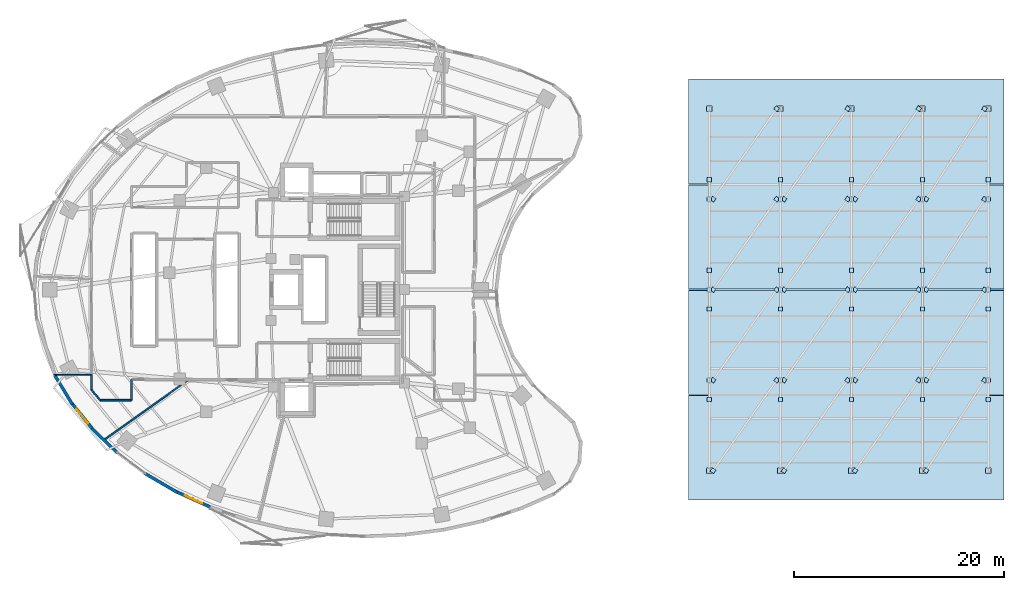
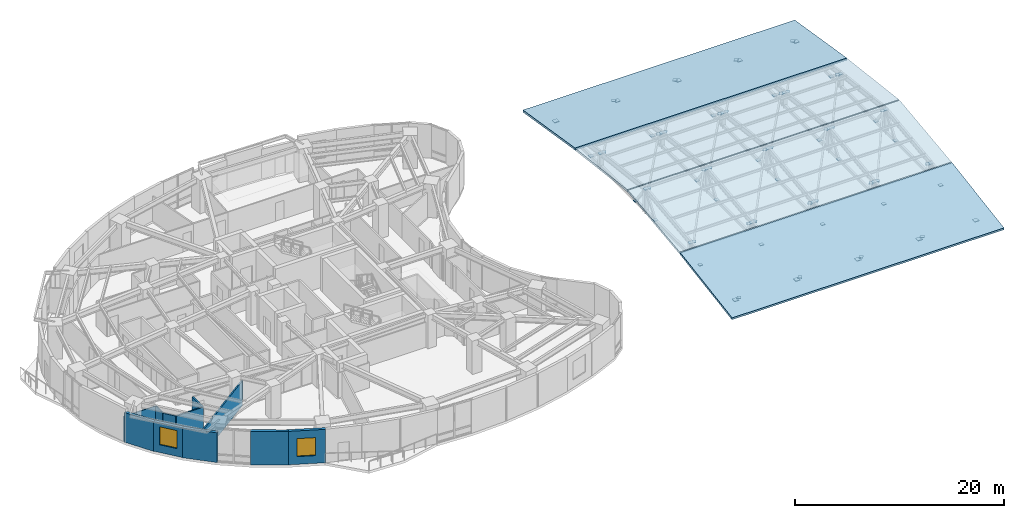
# One storey, part 10 of 17: 77 plates, 11 walls, 4 slabs, 2 windows, 2 openings.
"""IFC4 building model written with IfcOpenShell, lengths in metres."""

from ifc_helpers import new_model, si_unit, direction, frame, frame_2d, origin, origin_2d, place, context, subcontext, project, spatial, polyline, rectangle, outline, extrude, material, layer, layer_set, type_object, element, fill, save


model = new_model("IFC4")

# Units and contexts
model_context = context("Model", 3, precision=1e-05, world=origin(), true_north=direction((0.0, 1.0)))
body_context = subcontext(model_context, "Body", "Model", "MODEL_VIEW")
ifc_project = project(units=[si_unit("LENGTHUNIT", "METRE"), si_unit("AREAUNIT", "SQUARE_METRE"), si_unit("VOLUMEUNIT", "CUBIC_METRE"), si_unit("PLANEANGLEUNIT", "RADIAN"), si_unit("MASSUNIT", "GRAM", prefix="KILO")], contexts=[model_context])

# Site, building, storey
site_placement = place(None, origin())
site = spatial("IfcSite", under=ifc_project, at=site_placement, CompositionType="ELEMENT")
building_placement = place(site_placement, origin())
building = spatial("IfcBuilding", under=site, at=building_placement, Name="Korentha Bioscience Tower", CompositionType="ELEMENT")
storey_placement = place(building_placement, frame((0.0, 0.0, 25.800048828125)))
storey = spatial("IfcBuildingStorey", under=building, at=storey_placement, Name="L05", CompositionType="ELEMENT", Elevation=25.800048828125)

# Plates
ifc_material_1 = material(Name="Steel S355", Category="steel")
ifc_layer_1 = layer(ifc_material_1, 0.080078125, Name="Steel S355")
ifc_layer_set_1 = layer_set([ifc_layer_1], Name="Steel S355 (CP-02)")
plate_type_1 = type_object("IfcPlateType", Name="Hollow Section End Cap Plate 400x400x80", PredefinedType="USERDEFINED", material=ifc_layer_set_1)
for number, where, z_axis, x_axis, name in (
    (1, (66.5, 16.550048828125, 0.179931640625), (0.0, 0.0, 1.0), (0.0, 1.0, 0.0), "Vault Web 01-1 End Cap 1"),
    (2, (66.5, 18.39990234375, 1.635498046875), (0.0, 0.0, 1.0), (0.0, 1.0, 0.0), "Vault Web 01-1 End Cap 2"),
    (3, (66.5, 25.14990234375, 0.179931640625), (0.0, 0.0, 1.0), (0.0, 1.0, 0.0), "Vault Web 01-2 End Cap 1"),
    (4, (66.5, 27.0, 2.685302734375), (0.0, 0.0, 1.0), (0.0, 1.0, 0.0), "Vault Web 01-2 End Cap 2"),
    (5, (66.5, 28.85009765625, 0.179931640625), (0.0, 0.0, 1.0), (0.0, 1.0, 0.0), "Vault Web 01-3 End Cap 1"),
    (6, (66.5, 37.449951171875, 0.179931640625), (0.0, 0.0, 1.0), (0.0, 1.0, 0.0), "Vault Web 01-4 End Cap 1"),
    (7, (66.5, 35.60009765625, 1.635498046875), (0.0, 0.0, 1.0), (0.0, 1.0, 0.0), "Vault Web 01-4 End Cap 2"),
    (8, (73.25, 16.550048828125, 0.179931640625), (0.0, 0.0, 1.0), (0.0, 1.0, 0.0), "Vault Web 02-1 End Cap 1"),
    (9, (73.25, 18.39990234375, 1.635498046875), (0.0, 0.0, 1.0), (0.0, 1.0, 0.0), "Vault Web 02-1 End Cap 2"),
    (10, (73.25, 25.14990234375, 0.179931640625), (0.0, 0.0, 1.0), (0.0, 1.0, 0.0), "Vault Web 02-2 End Cap 1"),
    (11, (73.25, 27.0, 2.685302734375), (0.0, 0.0, 1.0), (0.0, 1.0, 0.0), "Vault Web 02-2 End Cap 2"),
    (12, (73.25, 28.85009765625, 0.179931640625), (0.0, 0.0, 1.0), (0.0, 1.0, 0.0), "Vault Web 02-3 End Cap 1"),
    (13, (73.25, 37.449951171875, 0.179931640625), (0.0, 0.0, 1.0), (0.0, 1.0, 0.0), "Vault Web 02-4 End Cap 1"),
    (14, (73.25, 35.60009765625, 1.635498046875), (0.0, 0.0, 1.0), (0.0, 1.0, 0.0), "Vault Web 02-4 End Cap 2"),
    (15, (80.0, 16.550048828125, 0.179931640625), (0.0, 0.0, 1.0), (0.0, 1.0, 0.0), "Vault Web 03-1 End Cap 1"),
    (16, (80.0, 18.39990234375, 1.635498046875), (0.0, 0.0, 1.0), (0.0, 1.0, 0.0), "Vault Web 03-1 End Cap 2"),
    (17, (80.0, 25.14990234375, 0.179931640625), (0.0, 0.0, 1.0), (0.0, 1.0, 0.0), "Vault Web 03-2 End Cap 1"),
    (18, (80.0, 27.0, 2.685302734375), (0.0, 0.0, 1.0), (0.0, 1.0, 0.0), "Vault Web 03-2 End Cap 2"),
    (19, (80.0, 28.85009765625, 0.179931640625), (0.0, 0.0, 1.0), (0.0, 1.0, 0.0), "Vault Web 03-3 End Cap 1"),
    (20, (80.0, 37.449951171875, 0.179931640625), (0.0, 0.0, 1.0), (0.0, 1.0, 0.0), "Vault Web 03-4 End Cap 1"),
    (21, (80.0, 35.60009765625, 1.635498046875), (0.0, 0.0, 1.0), (0.0, 1.0, 0.0), "Vault Web 03-4 End Cap 2"),
    (22, (86.75, 16.550048828125, 0.179931640625), (0.0, 0.0, 1.0), (0.0, 1.0, 0.0), "Vault Web 04-1 End Cap 1"),
    (23, (86.75, 18.39990234375, 1.635498046875), (0.0, 0.0, 1.0), (0.0, 1.0, 0.0), "Vault Web 04-1 End Cap 2"),
    (24, (86.75, 25.14990234375, 0.179931640625), (0.0, 0.0, 1.0), (0.0, 1.0, 0.0), "Vault Web 04-2 End Cap 1"),
    (25, (86.75, 27.0, 2.685302734375), (0.0, 0.0, 1.0), (0.0, 1.0, 0.0), "Vault Web 04-2 End Cap 2"),
    (26, (86.75, 28.85009765625, 0.179931640625), (0.0, 0.0, 1.0), (0.0, 1.0, 0.0), "Vault Web 04-3 End Cap 1"),
    (27, (86.75, 37.449951171875, 0.179931640625), (0.0, 0.0, 1.0), (0.0, 1.0, 0.0), "Vault Web 04-4 End Cap 1"),
    (28, (86.75, 35.60009765625, 1.635498046875), (0.0, 0.0, 1.0), (0.0, 1.0, 0.0), "Vault Web 04-4 End Cap 2"),
    (29, (93.0, 16.550048828125, 0.179931640625), (0.0, 0.0, 1.0), (0.0, 1.0, 0.0), "Vault Web 05-1 End Cap 1"),
    (30, (93.0, 18.39990234375, 1.635498046875), (0.0, 0.0, 1.0), (0.0, 1.0, 0.0), "Vault Web 05-1 End Cap 2"),
    (31, (93.0, 25.14990234375, 0.179931640625), (0.0, 0.0, 1.0), (0.0, 1.0, 0.0), "Vault Web 05-2 End Cap 1"),
    (32, (93.0, 27.0, 2.685302734375), (0.0, 0.0, 1.0), (0.0, 1.0, 0.0), "Vault Web 05-2 End Cap 2"),
    (33, (93.0, 28.85009765625, 0.179931640625), (0.0, 0.0, 1.0), (0.0, 1.0, 0.0), "Vault Web 05-3 End Cap 1"),
    (34, (93.0, 37.449951171875, 0.179931640625), (0.0, 0.0, 1.0), (0.0, 1.0, 0.0), "Vault Web 05-4 End Cap 1"),
    (35, (93.0, 35.60009765625, 1.635498046875), (0.0, 0.0, 1.0), (0.0, 1.0, 0.0), "Vault Web 05-4 End Cap 2"),
    (36, (66.85009765625, 9.800048828125, 0.331298828125), (0.0, 0.0, 1.0), (0.575433555394, 0.817848533243, 0.0), "Vault Wind Brace 1-1 End Cap 1"),
    (37, (72.89990234375, 18.39990234375, 1.63134765625), (0.0, 0.0, 1.0), (0.575433555394, 0.817848533243, 0.0), "Vault Wind Brace 1-1 End Cap 2"),
    (38, (66.85009765625, 18.39990234375, 1.63134765625), (0.0, 0.0, 1.0), (0.575433555394, 0.817848533243, 0.0), "Vault Wind Brace 1-2 End Cap 1"),
    (39, (72.89990234375, 27.0, 2.681396484375), (0.0, 0.0, 1.0), (0.575433555394, 0.817848533243, 0.0), "Vault Wind Brace 1-2 End Cap 2"),
    (40, (66.85009765625, 27.0, 2.681396484375), (0.0, 0.0, 1.0), (0.575433555394, 0.817848533243, 0.0), "Vault Wind Brace 1-3 End Cap 1"),
    (41, (72.89990234375, 35.60009765625, 1.63134765625), (0.0, 0.0, 1.0), (0.575433555394, 0.817848533243, 0.0), "Vault Wind Brace 1-3 End Cap 2"),
    (42, (66.85009765625, 35.60009765625, 1.63134765625), (0.0, 0.0, 1.0), (0.575433555394, 0.817848533243, 0.0), "Vault Wind Brace 1-4 End Cap 1"),
    (43, (72.89990234375, 44.199951171875, 0.331298828125), (0.0, 0.0, 1.0), (0.575433555394, 0.817848533243, 0.0), "Vault Wind Brace 1-4 End Cap 2"),
    (44, (73.60009765625, 9.800048828125, 0.331298828125), (0.0, 0.0, 1.0), (0.575433555394, 0.817848533243, 0.0), "Vault Wind Brace 2-1 End Cap 1"),
    (45, (79.64990234375, 18.39990234375, 1.63134765625), (0.0, 0.0, 1.0), (0.575433555394, 0.817848533243, 0.0), "Vault Wind Brace 2-1 End Cap 2"),
    (46, (73.60009765625, 18.39990234375, 1.63134765625), (0.0, 0.0, 1.0), (0.575433555394, 0.817848533243, 0.0), "Vault Wind Brace 2-2 End Cap 1"),
    (47, (79.64990234375, 27.0, 2.681396484375), (0.0, 0.0, 1.0), (0.575433555394, 0.817848533243, 0.0), "Vault Wind Brace 2-2 End Cap 2"),
    (48, (73.60009765625, 27.0, 2.681396484375), (0.0, 0.0, 1.0), (0.575433555394, 0.817848533243, 0.0), "Vault Wind Brace 2-3 End Cap 1"),
    (49, (79.64990234375, 35.60009765625, 1.63134765625), (0.0, 0.0, 1.0), (0.575433555394, 0.817848533243, 0.0), "Vault Wind Brace 2-3 End Cap 2"),
    (50, (73.60009765625, 35.60009765625, 1.63134765625), (0.0, 0.0, 1.0), (0.575433555394, 0.817848533243, 0.0), "Vault Wind Brace 2-4 End Cap 1"),
    (51, (79.64990234375, 44.199951171875, 0.331298828125), (0.0, 0.0, 1.0), (0.575433555394, 0.817848533243, 0.0), "Vault Wind Brace 2-4 End Cap 2"),
    (52, (80.35009765625, 9.800048828125, 0.331298828125), (0.0, 0.0, 1.0), (0.575433555394, 0.817848533243, 0.0), "Vault Wind Brace 3-1 End Cap 1"),
    (53, (86.39990234375, 18.39990234375, 1.63134765625), (0.0, 0.0, 1.0), (0.575433555394, 0.817848533243, 0.0), "Vault Wind Brace 3-1 End Cap 2"),
    (54, (80.35009765625, 18.39990234375, 1.63134765625), (0.0, 0.0, 1.0), (0.575433555394, 0.817848533243, 0.0), "Vault Wind Brace 3-2 End Cap 1"),
    (55, (86.39990234375, 27.0, 2.681396484375), (0.0, 0.0, 1.0), (0.575433555394, 0.817848533243, 0.0), "Vault Wind Brace 3-2 End Cap 2"),
    (56, (80.35009765625, 27.0, 2.681396484375), (0.0, 0.0, 1.0), (0.575433555394, 0.817848533243, 0.0), "Vault Wind Brace 3-3 End Cap 1"),
    (57, (86.39990234375, 35.60009765625, 1.63134765625), (0.0, 0.0, 1.0), (0.575433555394, 0.817848533243, 0.0), "Vault Wind Brace 3-3 End Cap 2"),
    (58, (80.35009765625, 35.60009765625, 1.63134765625), (0.0, 0.0, 1.0), (0.575433555394, 0.817848533243, 0.0), "Vault Wind Brace 3-4 End Cap 1"),
    (59, (86.39990234375, 44.199951171875, 0.331298828125), (0.0, 0.0, 1.0), (0.575433555394, 0.817848533243, 0.0), "Vault Wind Brace 3-4 End Cap 2"),
    (60, (87.10009765625, 9.800048828125, 0.331298828125), (0.0, 0.0, 1.0), (0.542294904417, 0.840188215011, 0.0), "Vault Wind Brace 4-1 End Cap 1"),
    (61, (92.64990234375, 18.39990234375, 1.63134765625), (0.0, 0.0, 1.0), (0.542294904417, 0.840188215011, 0.0), "Vault Wind Brace 4-1 End Cap 2"),
    (62, (87.10009765625, 18.39990234375, 1.63134765625), (0.0, 0.0, 1.0), (0.542294904417, 0.840188215011, 0.0), "Vault Wind Brace 4-2 End Cap 1"),
    (63, (92.64990234375, 27.0, 2.681396484375), (0.0, 0.0, 1.0), (0.542294904417, 0.840188215011, 0.0), "Vault Wind Brace 4-2 End Cap 2"),
    (64, (87.10009765625, 27.0, 2.681396484375), (0.0, 0.0, 1.0), (0.542294904417, 0.840188215011, 0.0), "Vault Wind Brace 4-3 End Cap 1"),
    (65, (92.64990234375, 35.60009765625, 1.63134765625), (0.0, 0.0, 1.0), (0.542294904417, 0.840188215011, 0.0), "Vault Wind Brace 4-3 End Cap 2"),
    (66, (87.10009765625, 35.60009765625, 1.63134765625), (0.0, 0.0, 1.0), (0.542294904417, 0.840188215011, 0.0), "Vault Wind Brace 4-4 End Cap 1"),
    (67, (92.64990234375, 44.199951171875, 0.331298828125), (0.0, 0.0, 1.0), (0.542294904417, 0.840188215011, 0.0), "Vault Wind Brace 4-4 End Cap 2"),
):
    element("IfcPlate", number, at=place(storey_placement, frame(where, z_axis=z_axis, x_axis=x_axis)), inside=storey, type_object=plate_type_1, Name=name, ObjectType="CAP_PLATE", PredefinedType="USERDEFINED", context=body_context, shape_type="SweptSolid", body=[
        extrude(rectangle(XDim=0.39990234375, YDim=0.39990234375, at=origin_2d()), origin(), (0.0, 0.0, 1.0), 0.080078125),
    ])
ifc_layer_2 = layer(ifc_material_1, 0.080078125, Name="Steel S355")
ifc_layer_set_2 = layer_set([ifc_layer_2], Name="Steel S355 (CP-01)")
plate_type_2 = type_object("IfcPlateType", Name="Hollow Section End Cap Plate 520x520x80", PredefinedType="USERDEFINED", material=ifc_layer_set_2)
for number, where, z_axis, x_axis, name in (
    (68, (66.5, 9.800048828125, 0.179931640625), (0.0, 0.0, 1.0), (0.0, 1.0, 0.0), "Vault Tie 01 End Cap 1"),
    (69, (66.5, 44.199951171875, 0.179931640625), (0.0, 0.0, 1.0), (0.0, 1.0, 0.0), "Vault Tie 01 End Cap 2"),
    (70, (73.25, 9.800048828125, 0.179931640625), (0.0, 0.0, 1.0), (0.0, 1.0, 0.0), "Vault Tie 02 End Cap 1"),
    (71, (73.25, 44.199951171875, 0.179931640625), (0.0, 0.0, 1.0), (0.0, 1.0, 0.0), "Vault Tie 02 End Cap 2"),
    (72, (80.0, 9.800048828125, 0.179931640625), (0.0, 0.0, 1.0), (0.0, 1.0, 0.0), "Vault Tie 03 End Cap 1"),
    (73, (80.0, 44.199951171875, 0.179931640625), (0.0, 0.0, 1.0), (0.0, 1.0, 0.0), "Vault Tie 03 End Cap 2"),
    (74, (86.75, 9.800048828125, 0.179931640625), (0.0, 0.0, 1.0), (0.0, 1.0, 0.0), "Vault Tie 04 End Cap 1"),
    (75, (86.75, 44.199951171875, 0.179931640625), (0.0, 0.0, 1.0), (0.0, 1.0, 0.0), "Vault Tie 04 End Cap 2"),
    (76, (93.0, 9.800048828125, 0.179931640625), (0.0, 0.0, 1.0), (0.0, 1.0, 0.0), "Vault Tie 05 End Cap 1"),
    (77, (93.0, 44.199951171875, 0.179931640625), (0.0, 0.0, 1.0), (0.0, 1.0, 0.0), "Vault Tie 05 End Cap 2"),
):
    element("IfcPlate", number, at=place(storey_placement, frame(where, z_axis=z_axis, x_axis=x_axis)), inside=storey, type_object=plate_type_2, Name=name, ObjectType="CAP_PLATE", PredefinedType="USERDEFINED", context=body_context, shape_type="SweptSolid", body=[
        extrude(rectangle(XDim=0.52001953125, YDim=0.52001953125, at=origin_2d()), origin(), (0.0, 0.0, 1.0), 0.080078125),
    ])

# Slabs
ifc_material_2 = material(Name="Precast Concrete C50", Category="concrete")
ifc_layer_3 = layer(ifc_material_2, 0.25, Name="Precast Concrete C50")
ifc_layer_set_3 = layer_set([ifc_layer_3], Name="Precast Concrete C50 (RF-V250)")
slab_type = type_object("IfcSlabType", Name="Theatre Faceted Vault Roof Slab 250", PredefinedType="ROOF", material=ifc_layer_set_3)
slab_1_placement = place(storey_placement, frame((64.5, 7.0, 0.5), z_axis=(0.0, -0.158751050698, 0.98731864355), x_axis=(1.0, 0.0, 0.0)))
element("IfcSlab", 78, at=slab_1_placement, inside=storey, type_object=slab_type, Name="L05 Civic Theatre Faceted Vault Roof Panel 1", PredefinedType="ROOF", context=body_context, shape_type="SweptSolid", body=[
    extrude(outline(polyline([(0.0, 0.0), (30.0, 0.0), (30.0, 10.07763671875), (0.0, 10.07763671875), (0.0, 0.0)])), origin(), (0.0, 0.0, -1.0), 0.25),
])
for number, where, z_axis, x_axis, name in (
    (79, (64.5, 17.050048828125, 2.099853515625), (0.0, -0.120471882616, 0.99271673981), (1.0, 0.0, 0.0), "L05 Civic Theatre Faceted Vault Roof Panel 2"),
    (80, (64.5, 27.06005859375, 3.300048828125), (0.0, 0.120471882616, 0.99271673981), (1.0, 0.0, 0.0), "L05 Civic Theatre Faceted Vault Roof Panel 3"),
):
    element("IfcSlab", number, at=place(storey_placement, frame(where, z_axis=z_axis, x_axis=x_axis)), inside=storey, type_object=slab_type, Name=name, PredefinedType="ROOF", context=body_context, shape_type="SweptSolid", body=[
        extrude(outline(polyline([(0.0, 0.0), (30.0, 0.0), (30.0, 9.96240234375), (0.0, 9.96240234375), (0.0, 0.0)])), origin(), (0.0, 0.0, -1.0), 0.25),
    ])
slab_2_placement = place(storey_placement, frame((64.5, 37.050048828125, 2.099853515625), z_axis=(0.0, 0.158751050698, 0.98731864355), x_axis=(1.0, 0.0, 0.0)))
element("IfcSlab", 81, at=slab_2_placement, inside=storey, type_object=slab_type, Name="L05 Civic Theatre Faceted Vault Roof Panel 4", PredefinedType="ROOF", context=body_context, shape_type="SweptSolid", body=[
    extrude(outline(polyline([(0.0, 0.0), (30.0, 0.0), (30.0, 10.07763671875), (0.0, 10.07763671875), (0.0, 0.0)])), origin(), (0.0, 0.0, -1.0), 0.25),
])

# Walls
ifc_material_3 = material(Name="Double-Stud Acoustic Gypsum", Category="gypsum")
ifc_layer_4 = layer(ifc_material_3, 0.14990234375, Name="Double-Stud Acoustic Gypsum")
ifc_layer_set_4 = layer_set([ifc_layer_4], Name="Double-Stud Acoustic Gypsum (IW-L150)")
wall_type_1 = type_object("IfcWallType", Name="Acoustic Laboratory Partition Wall 150", PredefinedType="PARTITIONING", material=ifc_layer_set_4)
wall_1_placement = place(storey_placement, frame((7.7900390625, 18.89208984375, 0.0), z_axis=(0.0, 0.0, 1.0), x_axis=(0.0, -1.0, 0.0)))
element("IfcWall", 82, at=wall_1_placement, inside=storey, type_object=wall_type_1, Name="L05 Interior Partition 023", PredefinedType="PARTITIONING", context=body_context, shape_type="SweptSolid", body=[
    extrude(rectangle(XDim=1.393310546875, YDim=0.14990234375, at=frame_2d((0.69677734375, 0.0))), origin(), (0.0, 0.0, 1.0), 2.909912109375),
])
wall_2_placement = place(storey_placement, frame((7.792236328125, 17.492431640625, 0.0), z_axis=(0.0, 0.0, 1.0), x_axis=(0.629225554682, -0.777222748854, 0.0)))
element("IfcWall", 83, at=wall_2_placement, inside=storey, type_object=wall_type_1, Name="L05 Interior Partition 024", PredefinedType="PARTITIONING", context=body_context, shape_type="SweptSolid", body=[
    extrude(rectangle(XDim=1.28515625, YDim=0.14990234375, at=frame_2d((0.642578125, 0.0))), origin(), (0.0, 0.0, 1.0), 2.909912109375),
])
wall_3_placement = place(storey_placement, frame((8.608642578125, 16.489990234375, 0.0), z_axis=(0.0, 0.0, 1.0), x_axis=(1.0, 0.0, 0.0)))
element("IfcWall", 84, at=wall_3_placement, inside=storey, type_object=wall_type_1, Name="L05 Interior Partition 025", PredefinedType="PARTITIONING", context=body_context, shape_type="SweptSolid", body=[
    extrude(rectangle(XDim=2.971435546875, YDim=0.14990234375, at=frame_2d((1.48583984375, 0.0))), origin(), (0.0, 0.0, 1.0), 2.909912109375),
])
wall_4_placement = place(storey_placement, frame((11.590087890625, 16.5, 0.0), z_axis=(0.0, 0.0, 1.0), x_axis=(0.0, 1.0, 0.0)))
element("IfcWall", 85, at=wall_4_placement, inside=storey, type_object=wall_type_1, Name="L05 Interior Partition 026", PredefinedType="PARTITIONING", context=body_context, shape_type="SweptSolid", body=[
    extrude(rectangle(XDim=1.93994140625, YDim=0.14990234375, at=frame_2d((0.969970703125, 0.0))), origin(), (0.0, 0.0, 1.0), 2.909912109375),
])
wall_5_placement = place(storey_placement, frame((17.001220703125, 18.43994140625, 0.0), z_axis=(0.0, 0.0, 1.0), x_axis=(-0.813397935838, -0.581707656796, 0.0)))
element("IfcWall", 86, at=wall_5_placement, inside=storey, type_object=wall_type_1, Name="L05 Interior Partition 027", PredefinedType="PARTITIONING", context=body_context, shape_type="SweptSolid", body=[
    extrude(rectangle(XDim=9.984130859375, YDim=0.14990234375, at=frame_2d((4.9921875, 0.0))), origin(), (0.0, 0.0, 1.0), 2.909912109375),
])
ifc_material_4 = material(Name="Fire-Rated Framed Glass", Category="glass")
ifc_layer_5 = layer(ifc_material_4, 0.110107421875, Name="Fire-Rated Framed Glass")
ifc_layer_set_5 = layer_set([ifc_layer_5], Name="Fire-Rated Framed Glass (IW-G110)")
wall_type_2 = type_object("IfcWallType", Name="Demountable Glazed Office Partition 110", PredefinedType="MOVABLE", material=ifc_layer_set_5)
wall_6_placement = place(storey_placement, frame((7.7900390625, 18.902099609375, 0.0), z_axis=(0.0, 0.0, 1.0), x_axis=(-1.0, 0.0, 0.0)))
element("IfcWall", 87, at=wall_6_placement, inside=storey, type_object=wall_type_2, Name="L05 Interior Partition 022", PredefinedType="MOVABLE", context=body_context, shape_type="SweptSolid", body=[
    extrude(rectangle(XDim=3.595947265625, YDim=0.110107421875, at=frame_2d((1.7978515625, 0.0))), origin(), (0.0, 0.0, 1.0), 2.909912109375),
])

# Wall, opening, window
ifc_material_5 = material(Name="Honed Limestone Precast Concrete C40", Category="masonry")
ifc_layer_6 = layer(ifc_material_5, 0.300048828125, Name="Honed Limestone Precast Concrete C40")
ifc_layer_set_6 = layer_set([ifc_layer_6], Name="Honed Limestone Precast Concrete C40 (EW-ST300)")
wall_type_3 = type_object("IfcWallType", Name="Honed Limestone Cavity Spandrel Wall 300", PredefinedType="STANDARD", material=ifc_layer_set_6)
wall_7_placement = place(storey_placement, frame((5.893798828125, 16.229736328125, 0.0), z_axis=(0.0, 0.0, 1.0), x_axis=(0.629295540187, -0.777166084631, 0.0)))
wall_7 = element("IfcWall", 88, at=wall_7_placement, inside=storey, type_object=wall_type_3, Name="L05 Honed Limestone Spandrel Wall 23", PredefinedType="STANDARD", context=body_context, shape_type="SweptSolid", body=[
    extrude(rectangle(XDim=3.24755859375, YDim=0.300048828125, at=frame_2d((1.623779296875, 0.0))), origin(), (0.0, 0.0, 1.0), 3.469970703125),
])
opening_1_placement = place(wall_7_placement, frame((0.723876953125, 0.0, 0.89990234375)))
opening_1 = element("IfcOpeningElement", 89, at=opening_1_placement, cuts=wall_7, Name="Opening WN-01", PredefinedType="OPENING", context=body_context, shape_type="SweptSolid", body=[
    extrude(rectangle(XDim=1.800048828125, YDim=2.10009765625, at=frame_2d((0.89990234375, 1.050048828125))), frame((0.0, 0.1650390625, 0.0), z_axis=(0.0, -1.0, 0.0), x_axis=(1.0, 0.0, 0.0)), (0.0, 0.0, 1.0), 0.329833984375),
])
ifc_material_6 = material(Name="Thermally Broken Aluminium Triple Glazing", Category="aluminium")
window_type = type_object("IfcWindowType", Name="Triple-Glazed Fixed Bioscience Window 1800x2100", PartitioningType="SINGLE_PANEL", PredefinedType="WINDOW", material=ifc_material_6)
window_1_placement = place(opening_1_placement, origin())
window_1 = element("IfcWindow", 90, at=window_1_placement, inside=storey, type_object=window_type, Name="L05 Facade Window 23", OverallHeight=2.10009765625, OverallWidth=1.800048828125, PartitioningType="SINGLE_PANEL", PredefinedType="WINDOW", context=body_context, shape_type="SweptSolid", body=[
    extrude(rectangle(XDim=1.800048828125, YDim=2.10009765625, at=frame_2d((0.89990234375, 1.050048828125))), frame((0.0, 0.030029296875, 0.0), z_axis=(0.0, -1.0, 0.0), x_axis=(1.0, 0.0, 0.0)), (0.0, 0.0, 1.0), 0.06005859375),
])
fill(opening_1, window_1)

wall_8_placement = place(storey_placement, frame((15.822265625, 7.812255859375, 0.0), z_axis=(0.0, 0.0, 1.0), x_axis=(0.910608120407, -0.413270917254, 0.0)))
wall_8 = element("IfcWall", 91, at=wall_8_placement, inside=storey, type_object=wall_type_3, Name="L05 Honed Limestone Spandrel Wall 27", PredefinedType="STANDARD", context=body_context, shape_type="SweptSolid", body=[
    extrude(rectangle(XDim=3.699951171875, YDim=0.300048828125, at=frame_2d((1.85009765625, 0.0))), origin(), (0.0, 0.0, 1.0), 3.89990234375),
])
opening_2_placement = place(wall_8_placement, frame((0.949951171875, 0.0, 0.89990234375)))
opening_2 = element("IfcOpeningElement", 92, at=opening_2_placement, cuts=wall_8, Name="Opening WN-01", PredefinedType="OPENING", context=body_context, shape_type="SweptSolid", body=[
    extrude(rectangle(XDim=1.800048828125, YDim=2.10009765625, at=frame_2d((0.89990234375, 1.050048828125))), frame((0.0, 0.1650390625, 0.0), z_axis=(0.0, -1.0, 0.0), x_axis=(1.0, 0.0, 0.0)), (0.0, 0.0, 1.0), 0.329833984375),
])
window_2_placement = place(opening_2_placement, origin())
window_2 = element("IfcWindow", 93, at=window_2_placement, inside=storey, type_object=window_type, Name="L05 Facade Window 27", OverallHeight=2.10009765625, OverallWidth=1.800048828125, PartitioningType="SINGLE_PANEL", PredefinedType="WINDOW", context=body_context, shape_type="SweptSolid", body=[
    extrude(rectangle(XDim=1.800048828125, YDim=2.10009765625, at=frame_2d((0.89990234375, 1.050048828125))), frame((0.0, 0.030029296875, 0.0), z_axis=(0.0, -1.0, 0.0), x_axis=(1.0, 0.0, 0.0)), (0.0, 0.0, 1.0), 0.06005859375),
])
fill(opening_2, window_2)

# Walls
wall_9_placement = place(storey_placement, frame((4.324951171875, 18.8115234375, 0.0), z_axis=(0.0, 0.0, 1.0), x_axis=(0.516423528484, -0.856333310825, 0.0)))
element("IfcWall", 94, at=wall_9_placement, inside=storey, type_object=wall_type_3, Name="L05 Limestone Perimeter Closure Wall 22", PredefinedType="STANDARD", context=body_context, shape_type="SweptSolid", body=[
    extrude(rectangle(XDim=3.1826171875, YDim=0.300048828125, at=frame_2d((1.59130859375, 0.0))), origin(), (0.0, 0.0, 1.0), 3.469970703125),
])
wall_10_placement = place(storey_placement, frame((7.81396484375, 13.80810546875, 0.0), z_axis=(0.0, 0.0, 1.0), x_axis=(0.72369587847, -0.69011902994, 0.0)))
element("IfcWall", 95, at=wall_10_placement, inside=storey, type_object=wall_type_3, Name="L05 Limestone Perimeter Closure Wall 24", PredefinedType="STANDARD", context=body_context, shape_type="SweptSolid", body=[
    extrude(rectangle(XDim=3.40283203125, YDim=0.300048828125, at=frame_2d((1.701416015625, 0.0))), origin(), (0.0, 0.0, 1.0), 3.469970703125),
])
wall_11_placement = place(storey_placement, frame((12.8154296875, 9.56201171875, 0.0), z_axis=(0.0, 0.0, 1.0), x_axis=(0.8624654944, -0.506115867139, 0.0)))
element("IfcWall", 96, at=wall_11_placement, inside=storey, type_object=wall_type_3, Name="L05 Limestone Perimeter Closure Wall 26", PredefinedType="STANDARD", context=body_context, shape_type="SweptSolid", body=[
    extrude(rectangle(XDim=3.63525390625, YDim=0.300048828125, at=frame_2d((1.817626953125, 0.0))), origin(), (0.0, 0.0, 1.0), 3.89990234375),
])

save(model, "model.ifc")
